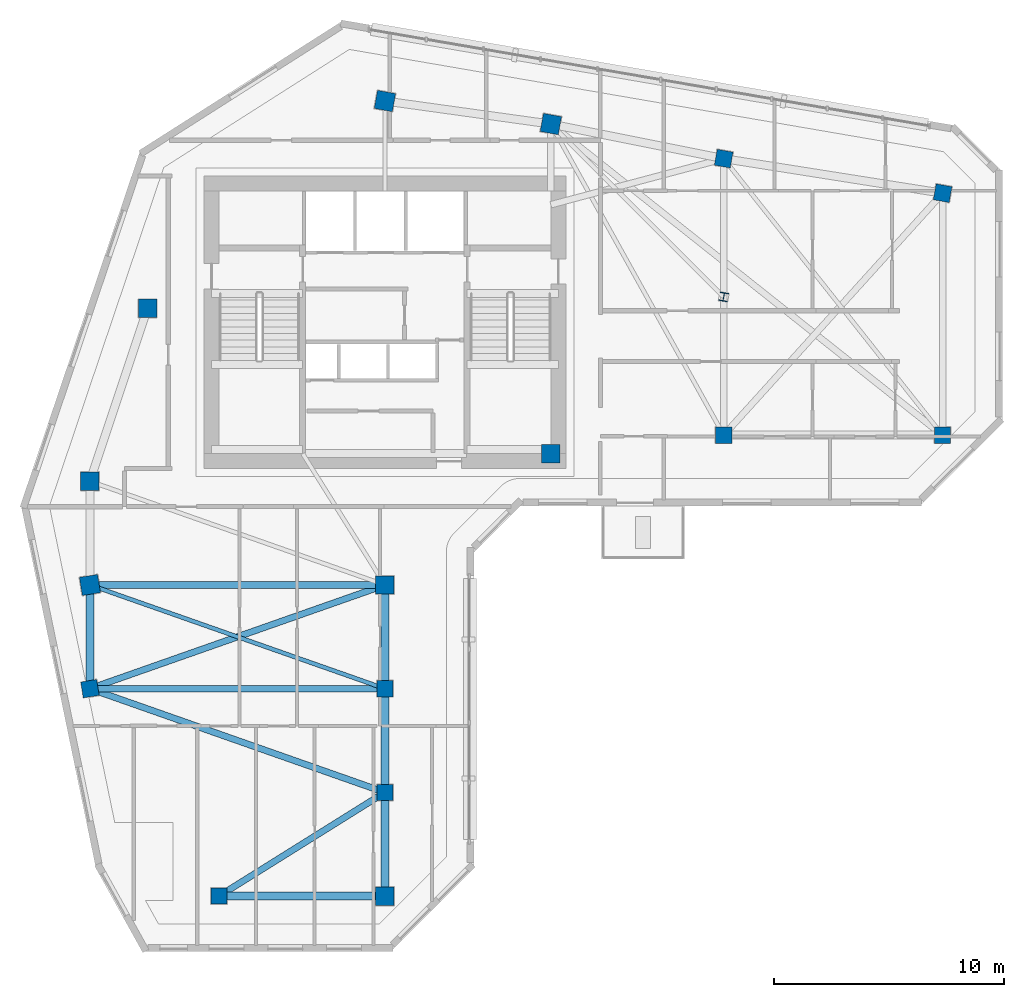
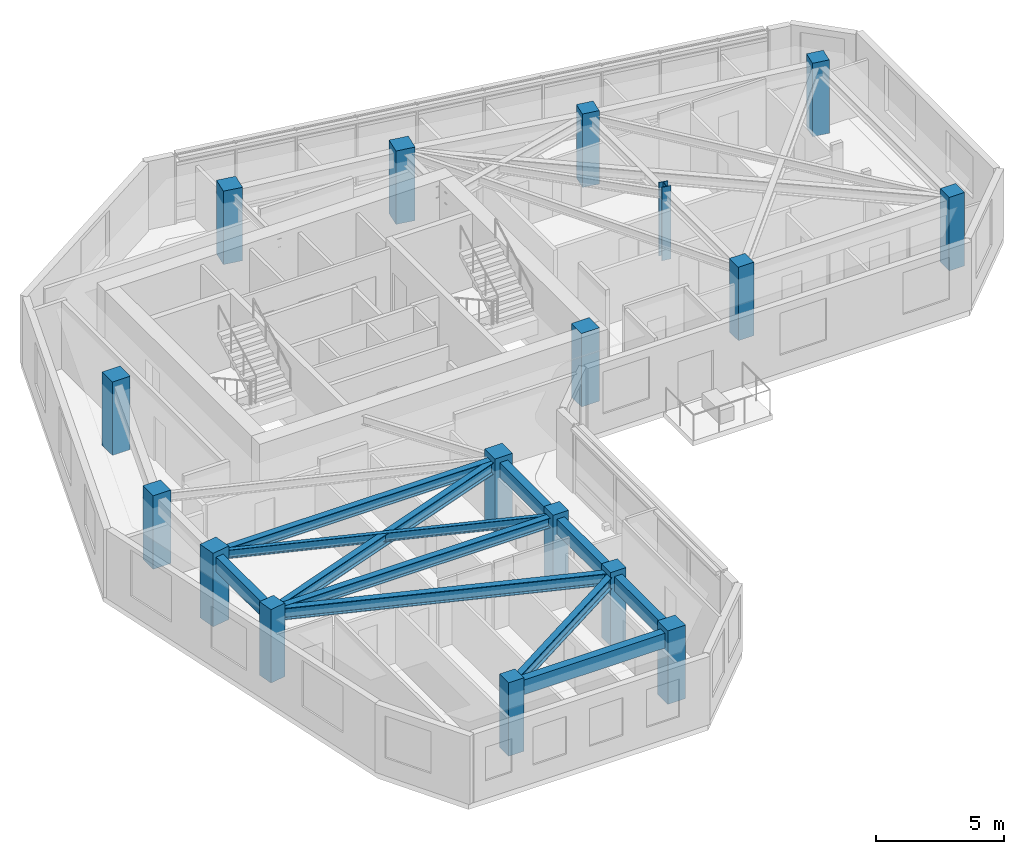
# One storey, part 1 of 11: 17 columns, 11 beams.
"""IFC4 building model written with IfcOpenShell, lengths in metres."""

from ifc_helpers import new_model, si_unit, direction, frame, origin, origin_2d, place, context, subcontext, project, spatial, rectangle, i_section, extrude, source, transform, mapped, material, material_profile, profile_set, type_object, element, save


model = new_model("IFC4")

# Units and contexts
model_context = context("Model", 3, precision=1e-05, world=origin(), true_north=direction((0.0, 1.0)))
body_context = subcontext(model_context, "Body", "Model", "MODEL_VIEW")
ifc_project = project(units=[si_unit("LENGTHUNIT", "METRE"), si_unit("AREAUNIT", "SQUARE_METRE"), si_unit("VOLUMEUNIT", "CUBIC_METRE"), si_unit("PLANEANGLEUNIT", "RADIAN"), si_unit("MASSUNIT", "GRAM", prefix="KILO")], contexts=[model_context])

# Site, building, storey
site_placement = place(None, origin())
site = spatial("IfcSite", under=ifc_project, at=site_placement, CompositionType="ELEMENT")
building_placement = place(site_placement, origin())
building = spatial("IfcBuilding", under=site, at=building_placement, Name="Calvemar Wedge Station Tower", CompositionType="ELEMENT")
storey_placement = place(building_placement, frame((0.0, 0.0, 183.39990234375)))
storey = spatial("IfcBuildingStorey", under=building, at=storey_placement, Name="L45", CompositionType="ELEMENT", Elevation=183.39990234375)

# Columns
ifc_material_1 = material(Name="Concrete C50", Category="concrete")
ifc_material_profile_1 = material_profile(ifc_material_1, rectangle(XDim=0.800048828125, YDim=0.800048828125, at=origin_2d()), Name="RC800x800")
ifc_profile_set_1 = profile_set([ifc_material_profile_1], Name="Concrete C50")
column_type_1 = type_object("IfcColumnType", Name="COL-C6-800", PredefinedType="COLUMN", material=ifc_profile_set_1)
shared_shape_1 = source(origin(), body_context, "Body", "SweptSolid", [
    extrude(rectangle(XDim=0.800048828125, YDim=0.800048828125, at=origin_2d()), origin(), (0.0, 0.0, 1.0), 3.5),
])
for number, where, z_axis, x_axis, name in (
    (1, (11.0, 33.0, 0.0), (0.0, 0.0, 1.0), (1.0, 0.0, 0.0), "Storey L45 Column T-NW1"),
    (2, (13.5, 40.5, 0.0), (0.0, 0.0, 1.0), (1.0, 0.0, 0.0), "Storey L45 Column T-NW2"),
    (3, (23.800048828125, 49.5, 0.0), (0.0, 0.0, 1.0), (0.984195607969, -0.17708474032, 0.0), "Storey L45 Column T-N1"),
    (4, (31.0, 48.5, 0.0), (0.0, 0.0, 1.0), (0.984195607969, -0.17708474032, 0.0), "Storey L45 Column T-N2"),
    (5, (31.0, 34.199951171875, 0.0), (0.0, 0.0, 1.0), (1.0, 0.0, 0.0), "Storey L45 Column T-NL1"),
    (6, (11.0, 28.5, 0.0), (0.0, 0.0, 1.0), (0.158158067254, -0.987413806751, 0.0), "Storey L45 Column T-SW1"),
    (7, (23.800048828125, 28.5, 0.0), (0.0, 0.0, 1.0), (1.0, 0.0, 0.0), "Storey L45 Column T-SE1"),
    (8, (23.800048828125, 15.0, 0.0), (0.0, 0.0, 1.0), (1.0, 0.0, 0.0), "Storey L45 Column T-SE4"),
):
    element("IfcColumn", number, at=place(storey_placement, frame(where, z_axis=z_axis, x_axis=x_axis)), inside=storey, type_object=column_type_1, Name=name, PredefinedType="COLUMN", context=body_context, shape_type="MappedRepresentation", body=[
        mapped(shared_shape_1, transform((0.0, 0.0, 0.0), scale=1.0)),
    ])
ifc_material_profile_2 = material_profile(ifc_material_1, rectangle(XDim=0.699951171875, YDim=0.699951171875, at=origin_2d()), Name="RC700x700")
ifc_profile_set_2 = profile_set([ifc_material_profile_2], Name="Concrete C50")
column_type_2 = type_object("IfcColumnType", Name="COL-C7-700", PredefinedType="COLUMN", material=ifc_profile_set_2)
shared_shape_2 = source(origin(), body_context, "Body", "SweptSolid", [
    extrude(rectangle(XDim=0.699951171875, YDim=0.699951171875, at=origin_2d()), origin(), (0.0, 0.0, 1.0), 3.5),
])
for number, where, z_axis, x_axis, name in (
    (9, (38.5, 47.0, 0.0), (0.0, 0.0, 1.0), (0.984195607969, -0.17708474032, 0.0), "Storey L45 Column T-NU3"),
    (10, (48.0, 45.5, 0.0), (0.0, 0.0, 1.0), (0.984195607969, -0.17708474032, 0.0), "Storey L45 Column T-NU4"),
    (11, (38.5, 35.0, 0.0), (0.0, 0.0, 1.0), (1.0, 0.0, 0.0), "Storey L45 Column T-NL2"),
    (12, (48.0, 35.0, 0.0), (0.0, 0.0, 1.0), (1.0, 0.0, 0.0), "Storey L45 Column T-NL3"),
    (13, (11.0, 24.0, 0.0), (0.0, 0.0, 1.0), (0.158158067254, -0.987413806751, 0.0), "Storey L45 Column T-SW2"),
    (14, (23.800048828125, 24.0, 0.0), (0.0, 0.0, 1.0), (1.0, 0.0, 0.0), "Storey L45 Column T-SE2"),
    (15, (23.800048828125, 19.5, 0.0), (0.0, 0.0, 1.0), (1.0, 0.0, 0.0), "Storey L45 Column T-SE3"),
    (16, (16.60009765625, 15.0, 0.0), (0.0, 0.0, 1.0), (1.0, 0.0, 0.0), "Storey L45 Column T-SM1"),
):
    element("IfcColumn", number, at=place(storey_placement, frame(where, z_axis=z_axis, x_axis=x_axis)), inside=storey, type_object=column_type_2, Name=name, PredefinedType="COLUMN", context=body_context, shape_type="MappedRepresentation", body=[
        mapped(shared_shape_2, transform((0.0, 0.0, 0.0), scale=1.0)),
    ])
ifc_material_2 = material(Name="Structural steel ASTM A572 Grade 50", Category="steel")
ifc_material_profile_3 = material_profile(ifc_material_2, i_section(OverallWidth=0.3740234375, OverallDepth=0.3720703125, WebThickness=0.016357421875, FlangeThickness=0.026123046875, FilletRadius=0.014892578125, at=origin_2d()), Name="W360x196")
ifc_profile_set_3 = profile_set([ifc_material_profile_3], Name="Structural steel ASTM A572 Grade 50")
column_type_3 = type_object("IfcColumnType", Name="COL-STL-W360", PredefinedType="COLUMN", material=ifc_profile_set_3)
shared_shape_3 = source(origin(), body_context, "Body", "SweptSolid", [
    extrude(i_section(OverallWidth=0.3740234375, OverallDepth=0.3720703125, WebThickness=0.016357421875, FlangeThickness=0.026123046875, FilletRadius=0.014892578125, at=origin_2d()), origin(), (0.0, 0.0, 1.0), 3.5),
])
column_placement = place(storey_placement, frame((38.5, 41.0, 0.0), z_axis=(0.0, 0.0, 1.0), x_axis=(0.984195607969, -0.17708474032, 0.0)))
element("IfcColumn", 17, at=column_placement, inside=storey, type_object=column_type_3, Name="Storey L45 Column T-NTIP-B", PredefinedType="COLUMN", context=body_context, shape_type="MappedRepresentation", body=[
    mapped(shared_shape_3, transform((0.0, 0.0, 0.0), scale=1.0)),
])

# Beams
ifc_material_profile_4 = material_profile(ifc_material_2, i_section(OverallWidth=0.177978515625, OverallDepth=0.406982421875, WebThickness=0.0078125, FlangeThickness=0.0126953125, FilletRadius=0.010009765625, at=origin_2d()), Name="W410x60")
ifc_profile_set_4 = profile_set([ifc_material_profile_4], Name="Structural steel ASTM A572 Grade 50")
beam_type_1 = type_object("IfcBeamType", Name="BM-J3-W410", PredefinedType="JOIST", material=ifc_profile_set_4)
shared_shape_4 = source(origin(), body_context, "Body", "SweptSolid", [
    extrude(i_section(OverallWidth=0.177978515625, OverallDepth=0.406982421875, WebThickness=0.0078125, FlangeThickness=0.0126953125, FilletRadius=0.010009765625, at=origin_2d()), origin(), (0.0, 0.0, 1.0), 13.568115234375),
])
beam_1_placement = place(storey_placement, frame((11.0, 28.5, 3.046630859375), z_axis=(0.943398221169, -0.331662171939, 0.0), x_axis=(0.331662171939, 0.943398221169, 0.0)))
element("IfcBeam", 18, at=beam_1_placement, inside=storey, type_object=beam_type_1, Name="Storey L45 Floor Beam T-SW1-T-SE2", PredefinedType="JOIST", context=body_context, shape_type="MappedRepresentation", body=[
    mapped(shared_shape_4, transform((0.0, 0.0, 0.0), scale=1.0)),
])
ifc_material_profile_5 = material_profile(ifc_material_2, i_section(OverallWidth=0.279052734375, OverallDepth=0.553955078125, WebThickness=0.017578125, FlangeThickness=0.029541015625, FilletRadius=0.014892578125, at=origin_2d()), Name="W530x196")
ifc_profile_set_5 = profile_set([ifc_material_profile_5], Name="Structural steel ASTM A572 Grade 50")
beam_type_2 = type_object("IfcBeamType", Name="BM-SB3-W530H", PredefinedType="BEAM", material=ifc_profile_set_5)
shared_shape_5 = source(origin(), body_context, "Body", "SweptSolid", [
    extrude(i_section(OverallWidth=0.279052734375, OverallDepth=0.553955078125, WebThickness=0.017578125, FlangeThickness=0.029541015625, FilletRadius=0.014892578125, at=origin_2d()), origin(), (0.0, 0.0, 1.0), 13.568115234375),
])
for number, where, z_axis, x_axis, name in (
    (19, (23.800048828125, 28.5, 2.97314453125), (-0.943398221169, -0.331662171939, 0.0), (0.331662171939, -0.943398221169, 0.0), "Storey L45 Floor Beam T-SE1-T-SW2"),
    (20, (11.0, 24.0, 2.97314453125), (0.943398221169, -0.331662171939, 0.0), (0.331662171939, 0.943398221169, 0.0), "Storey L45 Floor Beam T-SW2-T-SE3"),
):
    element("IfcBeam", number, at=place(storey_placement, frame(where, z_axis=z_axis, x_axis=x_axis)), inside=storey, type_object=beam_type_2, Name=name, PredefinedType="BEAM", context=body_context, shape_type="MappedRepresentation", body=[
        mapped(shared_shape_5, transform((0.0, 0.0, 0.0), scale=1.0)),
    ])
shared_shape_6 = source(origin(), body_context, "Body", "SweptSolid", [
    extrude(i_section(OverallWidth=0.279052734375, OverallDepth=0.553955078125, WebThickness=0.017578125, FlangeThickness=0.029541015625, FilletRadius=0.014892578125, at=origin_2d()), origin(), (0.0, 0.0, 1.0), 8.490478515625),
])
beam_2_placement = place(storey_placement, frame((23.800048828125, 19.5, 2.97314453125), z_axis=(-0.847996688584, -0.530001524668, 0.0), x_axis=(0.530001524668, -0.847996688584, 0.0)))
element("IfcBeam", 21, at=beam_2_placement, inside=storey, type_object=beam_type_2, Name="Storey L45 Floor Beam T-SE3-T-SM1", PredefinedType="BEAM", context=body_context, shape_type="MappedRepresentation", body=[
    mapped(shared_shape_6, transform((0.0, 0.0, 0.0), scale=1.0)),
])
ifc_material_profile_6 = material_profile(ifc_material_1, rectangle(XDim=0.35009765625, YDim=0.699951171875, at=origin_2d()), Name="RC350x700")
ifc_profile_set_6 = profile_set([ifc_material_profile_6], Name="Concrete C50")
beam_type_3 = type_object("IfcBeamType", Name="BM-SP2-700", PredefinedType="SPANDREL", material=ifc_profile_set_6)
shared_shape_7 = source(origin(), body_context, "Body", "SweptSolid", [
    extrude(rectangle(XDim=0.35009765625, YDim=0.699951171875, at=origin_2d()), origin(), (0.0, 0.0, 1.0), 4.5),
])
for number, where, z_axis, x_axis, name in (
    (22, (11.0, 28.5, 2.900146484375), (0.0, -1.0, 0.0), (1.0, 0.0, 0.0), "Storey L45 Spandrel T-SW1-T-SW2"),
    (23, (23.800048828125, 28.5, 2.900146484375), (0.0, -1.0, 0.0), (1.0, 0.0, 0.0), "Storey L45 Spandrel T-SE1-T-SE2"),
    (24, (23.800048828125, 24.0, 2.900146484375), (0.0, -1.0, 0.0), (1.0, 0.0, 0.0), "Storey L45 Spandrel T-SE2-T-SE3"),
    (25, (23.800048828125, 19.5, 2.900146484375), (0.0, -1.0, 0.0), (1.0, 0.0, 0.0), "Storey L45 Spandrel T-SE3-T-SE4"),
):
    element("IfcBeam", number, at=place(storey_placement, frame(where, z_axis=z_axis, x_axis=x_axis)), inside=storey, type_object=beam_type_3, Name=name, PredefinedType="SPANDREL", context=body_context, shape_type="MappedRepresentation", body=[
        mapped(shared_shape_7, transform((0.0, 0.0, 0.0), scale=1.0)),
    ])
shared_shape_8 = source(origin(), body_context, "Body", "SweptSolid", [
    extrude(rectangle(XDim=0.35009765625, YDim=0.699951171875, at=origin_2d()), origin(), (0.0, 0.0, 1.0), 7.199951171875),
])
beam_3_placement = place(storey_placement, frame((16.60009765625, 15.0, 2.900146484375), z_axis=(1.0, 0.0, 0.0), x_axis=(0.0, 1.0, 0.0)))
element("IfcBeam", 26, at=beam_3_placement, inside=storey, type_object=beam_type_3, Name="Storey L45 Spandrel T-SM1-T-SE4", PredefinedType="SPANDREL", context=body_context, shape_type="MappedRepresentation", body=[
    mapped(shared_shape_8, transform((0.0, 0.0, 0.0), scale=1.0)),
])
ifc_material_profile_7 = material_profile(ifc_material_2, i_section(OverallWidth=0.283935546875, OverallDepth=0.47607421875, WebThickness=0.014892578125, FlangeThickness=0.02392578125, FilletRadius=0.014892578125, at=origin_2d()), Name="W460x158")
ifc_profile_set_7 = profile_set([ifc_material_profile_7], Name="Structural steel ASTM A572 Grade 50")
beam_type_4 = type_object("IfcBeamType", Name="BM-SB5-W460H", PredefinedType="BEAM", material=ifc_profile_set_7)
shared_shape_9 = source(origin(), body_context, "Body", "SweptSolid", [
    extrude(i_section(OverallWidth=0.283935546875, OverallDepth=0.47607421875, WebThickness=0.014892578125, FlangeThickness=0.02392578125, FilletRadius=0.014892578125, at=origin_2d()), origin(), (0.0, 0.0, 1.0), 12.800048828125),
])
for number, where, z_axis, x_axis, name in (
    (27, (11.0, 28.5, 3.01220703125), (1.0, 0.0, 0.0), (0.0, 1.0, 0.0), "Storey L45 Floor Beam T-SW1-T-SE1"),
    (28, (11.0, 24.0, 3.01220703125), (1.0, 0.0, 0.0), (0.0, 1.0, 0.0), "Storey L45 Floor Beam T-SW2-T-SE2"),
):
    element("IfcBeam", number, at=place(storey_placement, frame(where, z_axis=z_axis, x_axis=x_axis)), inside=storey, type_object=beam_type_4, Name=name, PredefinedType="BEAM", context=body_context, shape_type="MappedRepresentation", body=[
        mapped(shared_shape_9, transform((0.0, 0.0, 0.0), scale=1.0)),
    ])

save(model, "model.ifc")
